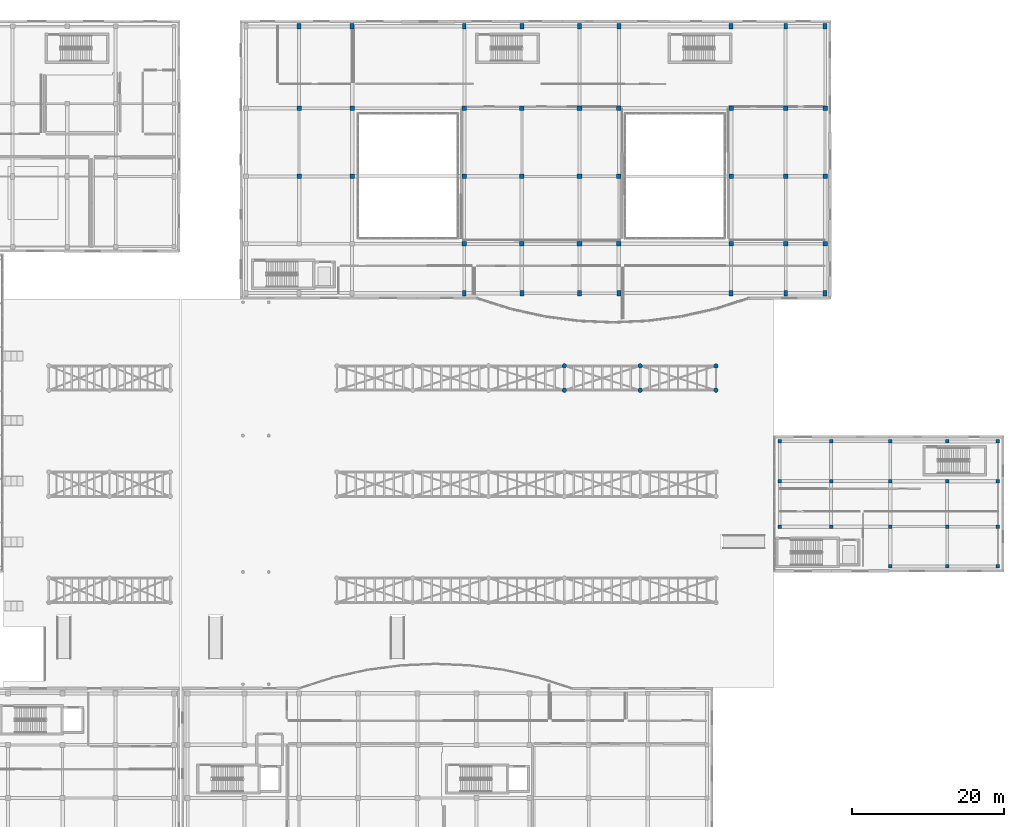
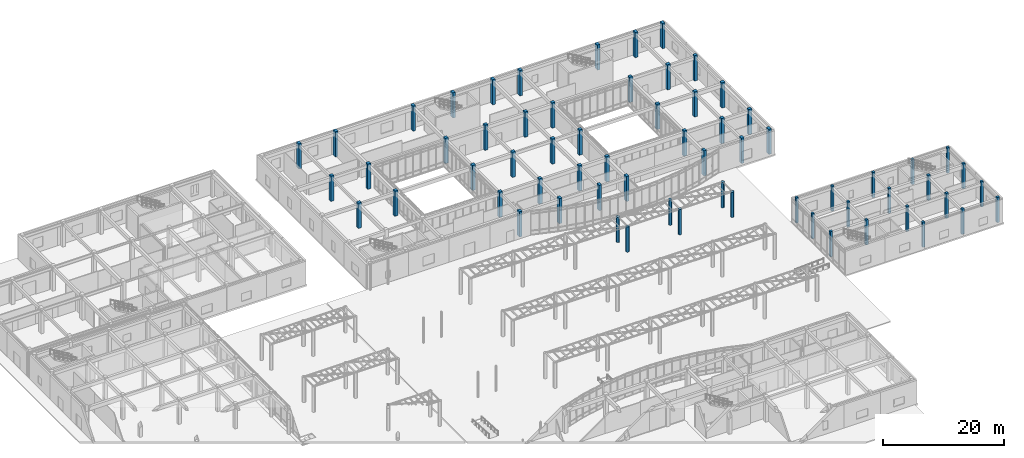
# One storey, part 14 of 121: 65 columns.
"""IFC4 building model written with IfcOpenShell, lengths in metres."""

from ifc_helpers import new_model, si_unit, direction, frame, origin, origin_2d, place, context, subcontext, project, spatial, rectangle, circle, extrude, material, material_profile, profile_set, type_object, element, save


model = new_model("IFC4")

# Units and contexts
model_context = context("Model", 3, precision=1e-05, world=origin(), true_north=direction((0.0, 1.0)))
body_context = subcontext(model_context, "Body", "Model", "MODEL_VIEW")
ifc_project = project(units=[si_unit("LENGTHUNIT", "METRE"), si_unit("AREAUNIT", "SQUARE_METRE"), si_unit("VOLUMEUNIT", "CUBIC_METRE"), si_unit("PLANEANGLEUNIT", "RADIAN"), si_unit("MASSUNIT", "GRAM", prefix="KILO")], contexts=[model_context])

# Site, building, storey
site_placement = place(None, origin())
site = spatial("IfcSite", under=ifc_project, at=site_placement, CompositionType="ELEMENT")
building_placement = place(site_placement, origin())
building = spatial("IfcBuilding", under=site, at=building_placement, Name="Valcora Specialist Clinic", CompositionType="ELEMENT")
storey_placement = place(building_placement, origin())
storey = spatial("IfcBuildingStorey", under=building, at=storey_placement, Name="L00", CompositionType="ELEMENT", Elevation=0.0)

# Columns
ifc_material = material(Name="Concrete C40/50", Category="concrete")
ifc_material_profile_1 = material_profile(ifc_material, rectangle(XDim=0.449951171875, YDim=0.449951171875, at=origin_2d()), Name="RC-COL-450X450")
ifc_profile_set_1 = profile_set([ifc_material_profile_1], Name="Concrete C40/50")
column_type_1 = type_object("IfcColumnType", Name="TY-COL-RC450", PredefinedType="COLUMN", material=ifc_profile_set_1)
for number, where, z_axis, x_axis, name in (
    (1, (132.39990234375, 44.0, 0.0), (0.0, 0.0, 1.0), (1.0, 0.0, 0.0), "Column COL-L00-0250"),
    (2, (132.39990234375, 50.0, 0.0), (0.0, 0.0, 1.0), (1.0, 0.0, 0.0), "Column COL-L00-0253"),
    (3, (132.39990234375, 55.25, 0.0), (0.0, 0.0, 1.0), (1.0, 0.0, 0.0), "Column COL-L00-0256"),
    (4, (139.199951171875, 44.0, 0.0), (0.0, 0.0, 1.0), (1.0, 0.0, 0.0), "Column COL-L00-0259"),
    (5, (139.199951171875, 50.0, 0.0), (0.0, 0.0, 1.0), (1.0, 0.0, 0.0), "Column COL-L00-0262"),
    (6, (139.199951171875, 55.25, 0.0), (0.0, 0.0, 1.0), (1.0, 0.0, 0.0), "Column COL-L00-0265"),
    (7, (147.0, 38.75, 0.0), (0.0, 0.0, 1.0), (1.0, 0.0, 0.0), "Column COL-L00-0268"),
    (8, (147.0, 44.0, 0.0), (0.0, 0.0, 1.0), (1.0, 0.0, 0.0), "Column COL-L00-0271"),
    (9, (147.0, 50.0, 0.0), (0.0, 0.0, 1.0), (1.0, 0.0, 0.0), "Column COL-L00-0273"),
    (10, (147.0, 55.25, 0.0), (0.0, 0.0, 1.0), (1.0, 0.0, 0.0), "Column COL-L00-0276"),
    (11, (154.5, 38.75, 0.0), (0.0, 0.0, 1.0), (1.0, 0.0, 0.0), "Column COL-L00-0279"),
    (12, (154.5, 44.0, 0.0), (0.0, 0.0, 1.0), (1.0, 0.0, 0.0), "Column COL-L00-0282"),
    (13, (154.5, 50.0, 0.0), (0.0, 0.0, 1.0), (1.0, 0.0, 0.0), "Column COL-L00-0284"),
    (14, (154.5, 55.25, 0.0), (0.0, 0.0, 1.0), (1.0, 0.0, 0.0), "Column COL-L00-0287"),
    (15, (161.199951171875, 38.75, 0.0), (0.0, 0.0, 1.0), (1.0, 0.0, 0.0), "Column COL-L00-0290"),
    (16, (161.199951171875, 44.0, 0.0), (0.0, 0.0, 1.0), (1.0, 0.0, 0.0), "Column COL-L00-0293"),
    (17, (161.199951171875, 50.0, 0.0), (0.0, 0.0, 1.0), (1.0, 0.0, 0.0), "Column COL-L00-0296"),
    (18, (161.199951171875, 55.25, 0.0), (0.0, 0.0, 1.0), (1.0, 0.0, 0.0), "Column COL-L00-0299"),
):
    element("IfcColumn", number, at=place(storey_placement, frame(where, z_axis=z_axis, x_axis=x_axis)), inside=storey, type_object=column_type_1, Name=name, PredefinedType="COLUMN", context=body_context, shape_type="SweptSolid", body=[
        extrude(rectangle(XDim=0.449951171875, YDim=0.449951171875, at=origin_2d()), origin(), (0.0, 0.0, 1.0), 5.10009765625),
    ])
ifc_material_profile_2 = material_profile(ifc_material, rectangle(XDim=0.5, YDim=0.75, at=origin_2d()), Name="RC-COL-500X750")
ifc_profile_set_2 = profile_set([ifc_material_profile_2], Name="Concrete C40/50")
column_type_2 = type_object("IfcColumnType", Name="TY-COL-RC500X750", PredefinedType="COLUMN", material=ifc_profile_set_2)
for number, where, z_axis, x_axis, name in (
    (19, (69.0, 110.0, 0.0), (0.0, 0.0, 1.0), (1.0, 0.0, 0.0), "Column COL-L00-0347"),
    (20, (76.0, 110.0, 0.0), (0.0, 0.0, 1.0), (1.0, 0.0, 0.0), "Column COL-L00-0372"),
    (21, (90.800048828125, 74.800048828125, 0.0), (0.0, 0.0, 1.0), (1.0, 0.0, 0.0), "Column COL-L00-0377"),
    (22, (90.800048828125, 110.0, 0.0), (0.0, 0.0, 1.0), (1.0, 0.0, 0.0), "Column COL-L00-0397"),
    (23, (98.39990234375, 74.800048828125, 0.0), (0.0, 0.0, 1.0), (1.0, 0.0, 0.0), "Column COL-L00-0402"),
    (24, (98.39990234375, 110.0, 0.0), (0.0, 0.0, 1.0), (1.0, 0.0, 0.0), "Column COL-L00-0422"),
    (25, (106.0, 74.800048828125, 0.0), (0.0, 0.0, 1.0), (1.0, 0.0, 0.0), "Column COL-L00-0427"),
    (26, (106.0, 110.0, 0.0), (0.0, 0.0, 1.0), (1.0, 0.0, 0.0), "Column COL-L00-0447"),
    (27, (111.199951171875, 74.800048828125, 0.0), (0.0, 0.0, 1.0), (1.0, 0.0, 0.0), "Column COL-L00-0452"),
    (28, (111.199951171875, 110.0, 0.0), (0.0, 0.0, 1.0), (1.0, 0.0, 0.0), "Column COL-L00-0472"),
    (29, (126.0, 74.800048828125, 0.0), (0.0, 0.0, 1.0), (1.0, 0.0, 0.0), "Column COL-L00-0477"),
    (30, (126.0, 110.0, 0.0), (0.0, 0.0, 1.0), (1.0, 0.0, 0.0), "Column COL-L00-0497"),
    (31, (133.199951171875, 74.800048828125, 0.0), (0.0, 0.0, 1.0), (1.0, 0.0, 0.0), "Column COL-L00-0502"),
    (32, (133.199951171875, 110.0, 0.0), (0.0, 0.0, 1.0), (1.0, 0.0, 0.0), "Column COL-L00-0518"),
    (33, (138.39990234375, 74.800048828125, 0.0), (0.0, 0.0, 1.0), (1.0, 0.0, 0.0), "Column COL-L00-0522"),
    (34, (138.39990234375, 110.0, 0.0), (0.0, 0.0, 1.0), (1.0, 0.0, 0.0), "Column COL-L00-0534"),
):
    element("IfcColumn", number, at=place(storey_placement, frame(where, z_axis=z_axis, x_axis=x_axis)), inside=storey, type_object=column_type_2, Name=name, PredefinedType="COLUMN", context=body_context, shape_type="SweptSolid", body=[
        extrude(rectangle(XDim=0.5, YDim=0.75, at=origin_2d()), origin(), (0.0, 0.0, 1.0), 5.10009765625),
    ])
ifc_material_profile_3 = material_profile(ifc_material, rectangle(XDim=0.60009765625, YDim=0.60009765625, at=origin_2d()), Name="RC-COL-600X600")
ifc_profile_set_3 = profile_set([ifc_material_profile_3], Name="Concrete C40/50")
column_type_3 = type_object("IfcColumnType", Name="TY-COL-RC600", PredefinedType="COLUMN", material=ifc_profile_set_3)
for number, where, z_axis, x_axis, name in (
    (35, (69.0, 90.199951171875, 0.0), (0.0, 0.0, 1.0), (1.0, 0.0, 0.0), "Column COL-L00-0337"),
    (36, (69.0, 99.199951171875, 0.0), (0.0, 0.0, 1.0), (1.0, 0.0, 0.0), "Column COL-L00-0342"),
    (37, (76.0, 90.199951171875, 0.0), (0.0, 0.0, 1.0), (1.0, 0.0, 0.0), "Column COL-L00-0362"),
    (38, (76.0, 99.199951171875, 0.0), (0.0, 0.0, 1.0), (1.0, 0.0, 0.0), "Column COL-L00-0367"),
    (39, (90.800048828125, 81.300048828125, 0.0), (0.0, 0.0, 1.0), (1.0, 0.0, 0.0), "Column COL-L00-0382"),
    (40, (90.800048828125, 90.199951171875, 0.0), (0.0, 0.0, 1.0), (1.0, 0.0, 0.0), "Column COL-L00-0387"),
    (41, (90.800048828125, 99.199951171875, 0.0), (0.0, 0.0, 1.0), (1.0, 0.0, 0.0), "Column COL-L00-0392"),
    (42, (98.39990234375, 81.300048828125, 0.0), (0.0, 0.0, 1.0), (1.0, 0.0, 0.0), "Column COL-L00-0407"),
    (43, (98.39990234375, 90.199951171875, 0.0), (0.0, 0.0, 1.0), (1.0, 0.0, 0.0), "Column COL-L00-0412"),
    (44, (98.39990234375, 99.199951171875, 0.0), (0.0, 0.0, 1.0), (1.0, 0.0, 0.0), "Column COL-L00-0417"),
    (45, (106.0, 81.300048828125, 0.0), (0.0, 0.0, 1.0), (1.0, 0.0, 0.0), "Column COL-L00-0432"),
    (46, (106.0, 90.199951171875, 0.0), (0.0, 0.0, 1.0), (1.0, 0.0, 0.0), "Column COL-L00-0437"),
    (47, (106.0, 99.199951171875, 0.0), (0.0, 0.0, 1.0), (1.0, 0.0, 0.0), "Column COL-L00-0442"),
    (48, (111.199951171875, 81.300048828125, 0.0), (0.0, 0.0, 1.0), (1.0, 0.0, 0.0), "Column COL-L00-0457"),
    (49, (111.199951171875, 90.199951171875, 0.0), (0.0, 0.0, 1.0), (1.0, 0.0, 0.0), "Column COL-L00-0462"),
    (50, (111.199951171875, 99.199951171875, 0.0), (0.0, 0.0, 1.0), (1.0, 0.0, 0.0), "Column COL-L00-0467"),
    (51, (126.0, 81.300048828125, 0.0), (0.0, 0.0, 1.0), (1.0, 0.0, 0.0), "Column COL-L00-0482"),
    (52, (126.0, 90.199951171875, 0.0), (0.0, 0.0, 1.0), (1.0, 0.0, 0.0), "Column COL-L00-0487"),
    (53, (126.0, 99.199951171875, 0.0), (0.0, 0.0, 1.0), (1.0, 0.0, 0.0), "Column COL-L00-0492"),
    (54, (133.199951171875, 81.300048828125, 0.0), (0.0, 0.0, 1.0), (1.0, 0.0, 0.0), "Column COL-L00-0506"),
    (55, (133.199951171875, 90.199951171875, 0.0), (0.0, 0.0, 1.0), (1.0, 0.0, 0.0), "Column COL-L00-0510"),
    (56, (133.199951171875, 99.199951171875, 0.0), (0.0, 0.0, 1.0), (1.0, 0.0, 0.0), "Column COL-L00-0514"),
    (57, (138.39990234375, 81.300048828125, 0.0), (0.0, 0.0, 1.0), (1.0, 0.0, 0.0), "Column COL-L00-0525"),
    (58, (138.39990234375, 90.199951171875, 0.0), (0.0, 0.0, 1.0), (1.0, 0.0, 0.0), "Column COL-L00-0528"),
    (59, (138.39990234375, 99.199951171875, 0.0), (0.0, 0.0, 1.0), (1.0, 0.0, 0.0), "Column COL-L00-0531"),
):
    element("IfcColumn", number, at=place(storey_placement, frame(where, z_axis=z_axis, x_axis=x_axis)), inside=storey, type_object=column_type_3, Name=name, PredefinedType="COLUMN", context=body_context, shape_type="SweptSolid", body=[
        extrude(rectangle(XDim=0.60009765625, YDim=0.60009765625, at=origin_2d()), origin(), (0.0, 0.0, 1.0), 5.10009765625),
    ])
ifc_material_profile_4 = material_profile(ifc_material, circle(Radius=0.300048828125, at=origin_2d()), Name="RC-COL-D600")
ifc_profile_set_4 = profile_set([ifc_material_profile_4], Name="Concrete C40/50")
column_type_4 = type_object("IfcColumnType", Name="TY-COL-RCD600", PredefinedType="COLUMN", material=ifc_profile_set_4)
for number, where, z_axis, x_axis, name in (
    (60, (104.0, 62.0, 0.0), (0.0, 0.0, 1.0), (1.0, 0.0, 0.0), "Column COL-L00-1159"),
    (61, (104.0, 65.199951171875, 0.0), (0.0, 0.0, 1.0), (1.0, 0.0, 0.0), "Column COL-L00-1161"),
    (62, (114.0, 62.0, 0.0), (0.0, 0.0, 1.0), (1.0, 0.0, 0.0), "Column COL-L00-1171"),
    (63, (114.0, 65.199951171875, 0.0), (0.0, 0.0, 1.0), (1.0, 0.0, 0.0), "Column COL-L00-1173"),
    (64, (124.0, 62.0, 0.0), (0.0, 0.0, 1.0), (1.0, 0.0, 0.0), "Column COL-L00-1183"),
    (65, (124.0, 65.199951171875, 0.0), (0.0, 0.0, 1.0), (1.0, 0.0, 0.0), "Column COL-L00-1185"),
):
    element("IfcColumn", number, at=place(storey_placement, frame(where, z_axis=z_axis, x_axis=x_axis)), inside=storey, type_object=column_type_4, Name=name, PredefinedType="COLUMN", context=body_context, shape_type="SweptSolid", body=[
        extrude(circle(Radius=0.300048828125, at=origin_2d()), origin(), (0.0, 0.0, 1.0), 5.10009765625),
    ])

save(model, "model.ifc")
